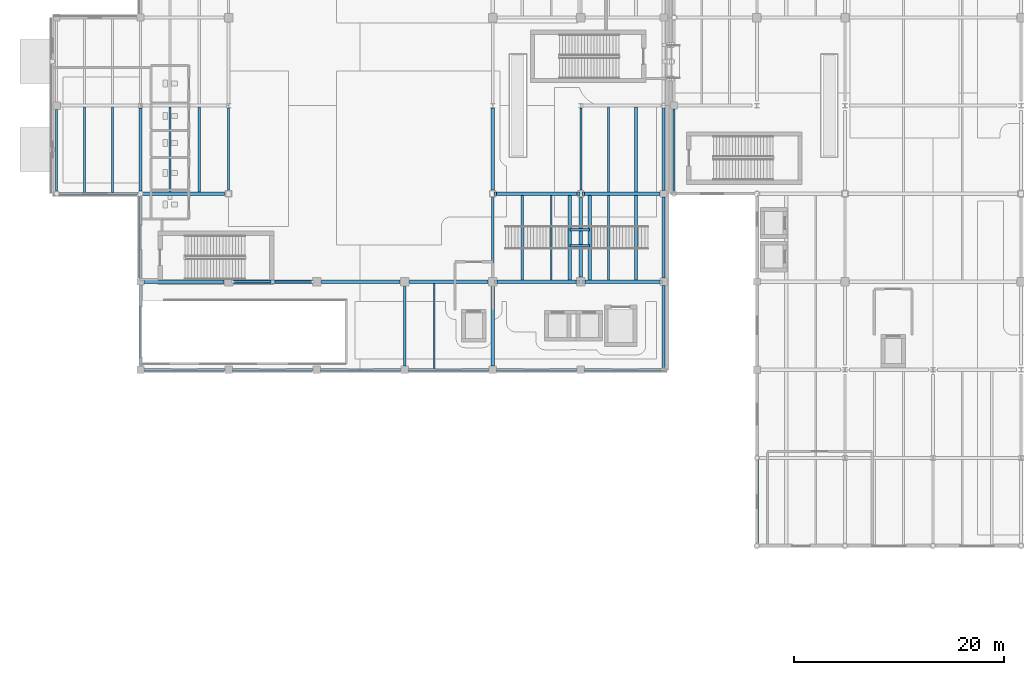
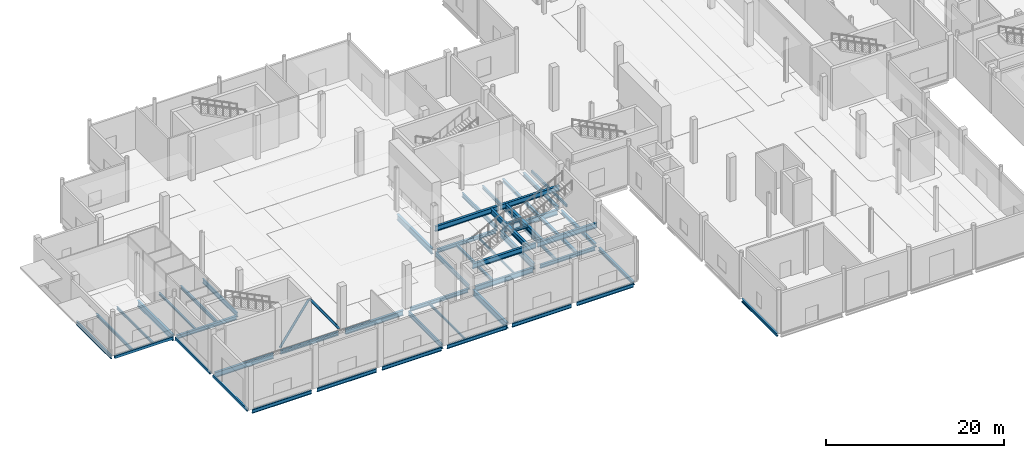
# One storey, part 16 of 85: 51 beams, 2 members.
"""IFC4 building model written with IfcOpenShell, lengths in metres."""

from ifc_helpers import new_model, si_unit, direction, frame, origin, origin_2d, place, context, subcontext, project, spatial, hollow_rectangle, hollow_circle, i_section, extrude, material, material_profile, profile_set, type_object, element, save


model = new_model("IFC4")

# Units and contexts
model_context = context("Model", 3, precision=1e-05, world=origin(), true_north=direction((0.0, 1.0)))
body_context = subcontext(model_context, "Body", "Model", "MODEL_VIEW")
ifc_project = project(units=[si_unit("LENGTHUNIT", "METRE"), si_unit("AREAUNIT", "SQUARE_METRE"), si_unit("VOLUMEUNIT", "CUBIC_METRE"), si_unit("PLANEANGLEUNIT", "RADIAN"), si_unit("MASSUNIT", "GRAM", prefix="KILO"), si_unit("THERMODYNAMICTEMPERATUREUNIT", "KELVIN")], contexts=[model_context])

# Site, building, storey
site_placement = place(None, origin())
site = spatial("IfcSite", under=ifc_project, at=site_placement, CompositionType="ELEMENT")
building_placement = place(site_placement, origin())
building = spatial("IfcBuilding", under=site, at=building_placement, Name="Lustrewick Department Store", CompositionType="ELEMENT")
storey_placement = place(building_placement, origin())
storey = spatial("IfcBuildingStorey", under=building, at=storey_placement, Name="L01", CompositionType="ELEMENT", Elevation=0.0)

# Beams
ifc_material_1 = material(Name="Structural steel Q355B", Category="steel")
ifc_material_profile_1 = material_profile(ifc_material_1, i_section(OverallWidth=0.199951171875, OverallDepth=0.449951171875, WebThickness=0.009033203125, FlangeThickness=0.013916015625, FilletRadius=0.01611328125, at=origin_2d()), Name="HN 450x200x9x14")
ifc_profile_set_1 = profile_set([ifc_material_profile_1], Name="Structural steel Q355B")
beam_type_1 = type_object("IfcBeamType", Name="B03", PredefinedType="JOIST", material=ifc_profile_set_1)
beam_1_placement = place(storey_placement, frame((53.033203125, 50.550048828125, -0.4951171875), z_axis=(0.0, 1.0, 0.0), x_axis=(-1.0, 0.0, 0.0)))
element("IfcBeam", 1, at=beam_1_placement, inside=storey, type_object=beam_type_1, Name="L01 V1 Secondary Joist B03", PredefinedType="JOIST", context=body_context, shape_type="SweptSolid", body=[
    extrude(i_section(OverallWidth=0.199951171875, OverallDepth=0.449951171875, WebThickness=0.009033203125, FlangeThickness=0.013916015625, FilletRadius=0.01611328125, at=origin_2d()), origin(), (0.0, 0.0, 1.0), 8.099853515625),
])
beam_2_placement = place(storey_placement, frame((53.033203125, 58.949951171875, -0.4951171875), z_axis=(0.0, 1.0, 0.0), x_axis=(-1.0, 0.0, 0.0)))
element("IfcBeam", 2, at=beam_2_placement, inside=storey, type_object=beam_type_1, Name="L01 V1 Secondary Joist B03", PredefinedType="JOIST", context=body_context, shape_type="SweptSolid", body=[
    extrude(i_section(OverallWidth=0.199951171875, OverallDepth=0.449951171875, WebThickness=0.009033203125, FlangeThickness=0.013916015625, FilletRadius=0.01611328125, at=origin_2d()), origin(), (0.0, 0.0, 1.0), 8.10009765625),
])
ifc_material_profile_2 = material_profile(ifc_material_1, i_section(OverallWidth=0.198974609375, OverallDepth=0.446044921875, WebThickness=0.008056640625, FlangeThickness=0.011962890625, FilletRadius=0.01611328125, at=origin_2d()), Name="HN 446x199x8x12")
ifc_profile_set_2 = profile_set([ifc_material_profile_2], Name="Structural steel Q355B")
beam_type_2 = type_object("IfcBeamType", Name="B04", PredefinedType="JOIST", material=ifc_profile_set_2)
beam_3_placement = place(storey_placement, frame((14.0, 58.949951171875, -0.492919921875), z_axis=(0.0, 1.0, 0.0), x_axis=(-1.0, 0.0, 0.0)))
element("IfcBeam", 3, at=beam_3_placement, inside=storey, type_object=beam_type_2, Name="L01 V1 Secondary Joist B04", PredefinedType="JOIST", context=body_context, shape_type="SweptSolid", body=[
    extrude(i_section(OverallWidth=0.198974609375, OverallDepth=0.446044921875, WebThickness=0.008056640625, FlangeThickness=0.011962890625, FilletRadius=0.01611328125, at=origin_2d()), origin(), (0.0, 0.0, 1.0), 8.10009765625),
])
ifc_material_profile_3 = material_profile(ifc_material_1, i_section(OverallWidth=0.199951171875, OverallDepth=0.39990234375, WebThickness=0.008056640625, FlangeThickness=0.012939453125, FilletRadius=0.013916015625, at=origin_2d()), Name="HN 400x200x8x13")
ifc_profile_set_3 = profile_set([ifc_material_profile_3], Name="Structural steel Q355B")
beam_type_3 = type_object("IfcBeamType", Name="B05", PredefinedType="JOIST", material=ifc_profile_set_3)
beam_4_placement = place(storey_placement, frame((3.066650390625, 58.89990234375, -0.469970703125), z_axis=(0.0, 1.0, 0.0), x_axis=(-1.0, 0.0, 0.0)))
element("IfcBeam", 4, at=beam_4_placement, inside=storey, type_object=beam_type_3, Name="L01 V1 Secondary Joist B05", PredefinedType="JOIST", context=body_context, shape_type="SweptSolid", body=[
    extrude(i_section(OverallWidth=0.199951171875, OverallDepth=0.39990234375, WebThickness=0.008056640625, FlangeThickness=0.012939453125, FilletRadius=0.013916015625, at=origin_2d()), origin(), (0.0, 0.0, 1.0), 8.149169921875),
])
ifc_material_profile_4 = material_profile(ifc_material_1, i_section(OverallWidth=0.300048828125, OverallDepth=0.389892578125, WebThickness=0.010009765625, FlangeThickness=0.01611328125, FilletRadius=0.01806640625, at=origin_2d()), Name="HM 390x300x10x16")
ifc_profile_set_4 = profile_set([ifc_material_profile_4], Name="Structural steel Q355B")
beam_type_4 = type_object("IfcBeamType", Name="B07", PredefinedType="JOIST", material=ifc_profile_set_4)
beam_5_placement = place(storey_placement, frame((55.666748046875, 50.550048828125, -0.465087890625), z_axis=(0.0, 1.0, 0.0), x_axis=(-1.0, 0.0, 0.0)))
element("IfcBeam", 5, at=beam_5_placement, inside=storey, type_object=beam_type_4, Name="L01 V1 Secondary Joist B07", PredefinedType="JOIST", context=body_context, shape_type="SweptSolid", body=[
    extrude(i_section(OverallWidth=0.300048828125, OverallDepth=0.389892578125, WebThickness=0.010009765625, FlangeThickness=0.01611328125, FilletRadius=0.01806640625, at=origin_2d()), origin(), (0.0, 0.0, 1.0), 8.099853515625),
])
beam_6_placement = place(storey_placement, frame((55.666748046875, 58.949951171875, -0.465087890625), z_axis=(0.0, 1.0, 0.0), x_axis=(-1.0, 0.0, 0.0)))
element("IfcBeam", 6, at=beam_6_placement, inside=storey, type_object=beam_type_4, Name="L01 V1 Secondary Joist B07", PredefinedType="JOIST", context=body_context, shape_type="SweptSolid", body=[
    extrude(i_section(OverallWidth=0.300048828125, OverallDepth=0.389892578125, WebThickness=0.010009765625, FlangeThickness=0.01611328125, FilletRadius=0.01806640625, at=origin_2d()), origin(), (0.0, 0.0, 1.0), 8.10009765625),
])
ifc_material_profile_5 = material_profile(ifc_material_1, i_section(OverallWidth=0.25, OverallDepth=0.340087890625, WebThickness=0.009033203125, FlangeThickness=0.013916015625, FilletRadius=0.01611328125, at=origin_2d()), Name="HM 340x250x9x14")
ifc_profile_set_5 = profile_set([ifc_material_profile_5], Name="Structural steel Q355B")
beam_type_5 = type_object("IfcBeamType", Name="B08", PredefinedType="JOIST", material=ifc_profile_set_5)
beam_7_placement = place(storey_placement, frame((44.800048828125, 50.550048828125, -0.43994140625), z_axis=(0.0, 1.0, 0.0), x_axis=(-1.0, 0.0, 0.0)))
element("IfcBeam", 7, at=beam_7_placement, inside=storey, type_object=beam_type_5, Name="L01 V1 Secondary Joist B08", PredefinedType="JOIST", context=body_context, shape_type="SweptSolid", body=[
    extrude(i_section(OverallWidth=0.25, OverallDepth=0.340087890625, WebThickness=0.009033203125, FlangeThickness=0.013916015625, FilletRadius=0.01611328125, at=origin_2d()), origin(), (0.0, 0.0, 1.0), 8.099853515625),
])
for number, where, z_axis, x_axis, name in (
    (8, (49.35009765625, 53.85009765625, 2.780029296875), (1.0, 0.0, 0.0), (0.0, 1.0, 0.0), "L01 Feature Stair AST01 Landing Cross Beam 1"),
    (9, (49.35009765625, 55.35009765625, 2.780029296875), (1.0, 0.0, 0.0), (0.0, 1.0, 0.0), "L01 Feature Stair AST01 Landing Cross Beam 2"),
):
    element("IfcBeam", number, at=place(storey_placement, frame(where, z_axis=z_axis, x_axis=x_axis)), inside=storey, type_object=beam_type_5, Name=name, PredefinedType="JOIST", context=body_context, shape_type="SweptSolid", body=[
        extrude(i_section(OverallWidth=0.25, OverallDepth=0.340087890625, WebThickness=0.009033203125, FlangeThickness=0.013916015625, FilletRadius=0.01611328125, at=origin_2d()), origin(), (0.0, 0.0, 1.0), 1.89990234375),
    ])
ifc_material_profile_6 = material_profile(ifc_material_1, i_section(OverallWidth=0.175048828125, OverallDepth=0.35009765625, WebThickness=0.007080078125, FlangeThickness=0.010986328125, FilletRadius=0.012939453125, at=origin_2d()), Name="HN 350x175x7x11")
ifc_profile_set_6 = profile_set([ifc_material_profile_6], Name="Structural steel Q355B")
beam_type_6 = type_object("IfcBeamType", Name="B09", PredefinedType="JOIST", material=ifc_profile_set_6)
beam_8_placement = place(storey_placement, frame((5.7333984375, 58.89990234375, -0.445068359375), z_axis=(0.0, 1.0, 0.0), x_axis=(-1.0, 0.0, 0.0)))
element("IfcBeam", 10, at=beam_8_placement, inside=storey, type_object=beam_type_6, Name="L01 V1 Secondary Joist B09", PredefinedType="JOIST", context=body_context, shape_type="SweptSolid", body=[
    extrude(i_section(OverallWidth=0.175048828125, OverallDepth=0.35009765625, WebThickness=0.007080078125, FlangeThickness=0.010986328125, FilletRadius=0.012939453125, at=origin_2d()), origin(), (0.0, 0.0, 1.0), 8.149169921875),
])
ifc_material_profile_7 = material_profile(ifc_material_1, i_section(OverallWidth=0.14892578125, OverallDepth=0.298095703125, WebThickness=0.005615234375, FlangeThickness=0.008056640625, FilletRadius=0.011962890625, at=origin_2d()), Name="HN 298x149x5.5x8")
ifc_profile_set_7 = profile_set([ifc_material_profile_7], Name="Structural steel Q355B")
beam_type_7 = type_object("IfcBeamType", Name="B12", PredefinedType="JOIST", material=ifc_profile_set_7)
beam_9_placement = place(storey_placement, frame((36.39990234375, 42.1005859375, -0.4189453125), z_axis=(0.0, 1.0, 0.0), x_axis=(-1.0, 0.0, 0.0)))
element("IfcBeam", 11, at=beam_9_placement, inside=storey, type_object=beam_type_7, Name="L01 V1 Secondary Joist B12", PredefinedType="JOIST", context=body_context, shape_type="SweptSolid", body=[
    extrude(i_section(OverallWidth=0.14892578125, OverallDepth=0.298095703125, WebThickness=0.005615234375, FlangeThickness=0.008056640625, FilletRadius=0.011962890625, at=origin_2d()), origin(), (0.0, 0.0, 1.0), 8.1494140625),
])
beam_10_placement = place(storey_placement, frame((47.60009765625, 50.550048828125, -0.4189453125), z_axis=(0.0, 1.0, 0.0), x_axis=(-1.0, 0.0, 0.0)))
element("IfcBeam", 12, at=beam_10_placement, inside=storey, type_object=beam_type_7, Name="L01 V1 Secondary Joist B12", PredefinedType="JOIST", context=body_context, shape_type="SweptSolid", body=[
    extrude(i_section(OverallWidth=0.14892578125, OverallDepth=0.298095703125, WebThickness=0.005615234375, FlangeThickness=0.008056640625, FilletRadius=0.011962890625, at=origin_2d()), origin(), (0.0, 0.0, 1.0), 8.099853515625),
])
ifc_material_profile_8 = material_profile(ifc_material_1, i_section(OverallWidth=0.199951171875, OverallDepth=0.2939453125, WebThickness=0.008056640625, FlangeThickness=0.011962890625, FilletRadius=0.013916015625, at=origin_2d()), Name="HM 294x200x8x12")
ifc_profile_set_8 = profile_set([ifc_material_profile_8], Name="Structural steel Q355B")
beam_type_8 = type_object("IfcBeamType", Name="B13", PredefinedType="JOIST", material=ifc_profile_set_8)
beam_11_placement = place(storey_placement, frame((11.199951171875, 58.949951171875, -0.4169921875), z_axis=(0.0, 1.0, 0.0), x_axis=(-1.0, 0.0, 0.0)))
element("IfcBeam", 13, at=beam_11_placement, inside=storey, type_object=beam_type_8, Name="L01 V1 Secondary Joist B13", PredefinedType="JOIST", context=body_context, shape_type="SweptSolid", body=[
    extrude(i_section(OverallWidth=0.199951171875, OverallDepth=0.2939453125, WebThickness=0.008056640625, FlangeThickness=0.011962890625, FilletRadius=0.013916015625, at=origin_2d()), origin(), (0.0, 0.0, 1.0), 8.10009765625),
])

# Members
ifc_material_2 = material(Name="Structural steel Q355C", Category="steel")
ifc_material_profile_9 = material_profile(ifc_material_2, hollow_circle(Radius=0.1494140625, WallThickness=0.011962890625, at=origin_2d()), Name="CHS 299x12")
ifc_profile_set_9 = profile_set([ifc_material_profile_9], Name="Structural steel Q355C")
member_type = type_object("IfcMemberType", Name="BR02", PredefinedType="BRACE", material=ifc_profile_set_9)
for number, where, z_axis, x_axis, name in (
    (14, (17.199951171875, 50.39990234375, 0.14990234375), (0.576424827451, 0.0, 0.817150180994), (0.0, 1.0, 0.0), "L01 V1 Chevron Brace BR02"),
    (15, (24.800048828125, 50.39990234375, 0.14990234375), (-0.576424827451, 0.0, 0.817150180994), (0.0, -1.0, 0.0), "L01 V1 Chevron Brace BR02"),
):
    element("IfcMember", number, at=place(storey_placement, frame(where, z_axis=z_axis, x_axis=x_axis)), inside=storey, type_object=member_type, Name=name, PredefinedType="BRACE", context=body_context, shape_type="SweptSolid", body=[
        extrude(hollow_circle(Radius=0.1494140625, WallThickness=0.011962890625, at=origin_2d()), origin(), (0.0, 0.0, 1.0), 6.418701171875),
    ])

# Beams
ifc_material_profile_10 = material_profile(ifc_material_1, i_section(OverallWidth=0.300048828125, OverallDepth=0.800048828125, WebThickness=0.013916015625, FlangeThickness=0.02587890625, FilletRadius=0.02197265625, at=origin_2d()), Name="HN 800x300x14x26")
ifc_profile_set_10 = profile_set([ifc_material_profile_10], Name="Structural steel Q355B")
beam_type_9 = type_object("IfcBeamType", Name="G05", PredefinedType="BEAM", material=ifc_profile_set_10)
beam_12_placement = place(storey_placement, frame((8.39990234375, 59.053955078125, -0.669921875), z_axis=(0.0, 1.0, 0.0), x_axis=(-1.0, 0.0, 0.0)))
element("IfcBeam", 16, at=beam_12_placement, inside=storey, type_object=beam_type_9, Name="L01 V1 Girder G05", PredefinedType="BEAM", context=body_context, shape_type="SweptSolid", body=[
    extrude(i_section(OverallWidth=0.300048828125, OverallDepth=0.800048828125, WebThickness=0.013916015625, FlangeThickness=0.02587890625, FilletRadius=0.02197265625, at=origin_2d()), origin(), (0.0, 0.0, 1.0), 7.93212890625),
])
beam_13_placement = place(storey_placement, frame((42.0, 42.35009765625, -0.669921875), z_axis=(0.0, 1.0, 0.0), x_axis=(-1.0, 0.0, 0.0)))
element("IfcBeam", 17, at=beam_13_placement, inside=storey, type_object=beam_type_9, Name="L01 V1 Girder G05", PredefinedType="BEAM", context=body_context, shape_type="SweptSolid", body=[
    extrude(i_section(OverallWidth=0.300048828125, OverallDepth=0.800048828125, WebThickness=0.013916015625, FlangeThickness=0.02587890625, FilletRadius=0.02197265625, at=origin_2d()), origin(), (0.0, 0.0, 1.0), 7.599853515625),
])
beam_14_placement = place(storey_placement, frame((42.0, 59.175048828125, -0.669921875), z_axis=(0.0, 1.0, 0.0), x_axis=(-1.0, 0.0, 0.0)))
element("IfcBeam", 18, at=beam_14_placement, inside=storey, type_object=beam_type_9, Name="L01 V1 Girder G05", PredefinedType="BEAM", context=body_context, shape_type="SweptSolid", body=[
    extrude(i_section(OverallWidth=0.300048828125, OverallDepth=0.800048828125, WebThickness=0.013916015625, FlangeThickness=0.02587890625, FilletRadius=0.02197265625, at=origin_2d()), origin(), (0.0, 0.0, 1.0), 7.81103515625),
])
beam_15_placement = place(storey_placement, frame((50.39990234375, 50.85009765625, -0.669921875), z_axis=(0.0, 1.0, 0.0), x_axis=(-1.0, 0.0, 0.0)))
element("IfcBeam", 19, at=beam_15_placement, inside=storey, type_object=beam_type_9, Name="L01 V1 Girder G05", PredefinedType="BEAM", context=body_context, shape_type="SweptSolid", body=[
    extrude(i_section(OverallWidth=0.300048828125, OverallDepth=0.800048828125, WebThickness=0.013916015625, FlangeThickness=0.02587890625, FilletRadius=0.02197265625, at=origin_2d()), origin(), (0.0, 0.0, 1.0), 7.574951171875),
])
ifc_material_profile_11 = material_profile(ifc_material_1, i_section(OverallWidth=0.300048828125, OverallDepth=0.699951171875, WebThickness=0.012939453125, FlangeThickness=0.02392578125, FilletRadius=0.02001953125, at=origin_2d()), Name="HN 700x300x13x24")
ifc_profile_set_11 = profile_set([ifc_material_profile_11], Name="Structural steel Q355B")
beam_type_10 = type_object("IfcBeamType", Name="G08", PredefinedType="BEAM", material=ifc_profile_set_11)
beam_16_placement = place(storey_placement, frame((42.449951171875, 50.39990234375, -0.6201171875), z_axis=(1.0, 0.0, 0.0), x_axis=(0.0, 1.0, 0.0)))
element("IfcBeam", 20, at=beam_16_placement, inside=storey, type_object=beam_type_10, Name="L01 V1 Girder G08", PredefinedType="BEAM", context=body_context, shape_type="SweptSolid", body=[
    extrude(i_section(OverallWidth=0.300048828125, OverallDepth=0.699951171875, WebThickness=0.012939453125, FlangeThickness=0.02392578125, FilletRadius=0.02001953125, at=origin_2d()), origin(), (0.0, 0.0, 1.0), 7.5),
])
beam_17_placement = place(storey_placement, frame((50.77490234375, 58.800048828125, -0.6201171875), z_axis=(1.0, 0.0, 0.0), x_axis=(0.0, 1.0, 0.0)))
element("IfcBeam", 21, at=beam_17_placement, inside=storey, type_object=beam_type_10, Name="L01 V1 Girder G08", PredefinedType="BEAM", context=body_context, shape_type="SweptSolid", body=[
    extrude(i_section(OverallWidth=0.300048828125, OverallDepth=0.699951171875, WebThickness=0.012939453125, FlangeThickness=0.02392578125, FilletRadius=0.02001953125, at=origin_2d()), origin(), (0.0, 0.0, 1.0), 7.2001953125),
])
for number, where, z_axis, x_axis, name in (
    (22, (42.10009765625, 50.39990234375, 2.60009765625), (1.0, 0.0, 0.0), (0.0, 1.0, 0.0), "L01 Feature Stair AST01 Stringer Girder EW1.1"),
    (23, (42.10009765625, 58.800048828125, 2.60009765625), (1.0, 0.0, 0.0), (0.0, 1.0, 0.0), "L01 Feature Stair AST01 Stringer Girder EW1.2"),
):
    element("IfcBeam", number, at=place(storey_placement, frame(where, z_axis=z_axis, x_axis=x_axis)), inside=storey, type_object=beam_type_10, Name=name, PredefinedType="BEAM", context=body_context, shape_type="SweptSolid", body=[
        extrude(i_section(OverallWidth=0.300048828125, OverallDepth=0.699951171875, WebThickness=0.012939453125, FlangeThickness=0.02392578125, FilletRadius=0.02001953125, at=origin_2d()), origin(), (0.0, 0.0, 1.0), 8.199951171875),
    ])
for number, where, z_axis, x_axis, name in (
    (24, (50.5, 50.39990234375, 2.60009765625), (1.0, 0.0, 0.0), (0.0, 1.0, 0.0), "L01 Feature Stair AST01 Stringer Girder EW2.1"),
    (25, (50.5, 58.800048828125, 2.60009765625), (1.0, 0.0, 0.0), (0.0, 1.0, 0.0), "L01 Feature Stair AST01 Stringer Girder EW2.2"),
):
    element("IfcBeam", number, at=place(storey_placement, frame(where, z_axis=z_axis, x_axis=x_axis)), inside=storey, type_object=beam_type_10, Name=name, PredefinedType="BEAM", context=body_context, shape_type="SweptSolid", body=[
        extrude(i_section(OverallWidth=0.300048828125, OverallDepth=0.699951171875, WebThickness=0.012939453125, FlangeThickness=0.02392578125, FilletRadius=0.02001953125, at=origin_2d()), origin(), (0.0, 0.0, 1.0), 7.699951171875),
    ])
for number, where, z_axis, x_axis, name in (
    (26, (49.35009765625, 50.5, 2.60009765625), (0.0, 1.0, 0.0), (-1.0, 0.0, 0.0), "L01 Feature Stair AST01 Landing Trimmer NS1"),
    (27, (51.25, 50.5, 2.60009765625), (0.0, 1.0, 0.0), (-1.0, 0.0, 0.0), "L01 Feature Stair AST01 Landing Trimmer NS2"),
):
    element("IfcBeam", number, at=place(storey_placement, frame(where, z_axis=z_axis, x_axis=x_axis)), inside=storey, type_object=beam_type_10, Name=name, PredefinedType="BEAM", context=body_context, shape_type="SweptSolid", body=[
        extrude(i_section(OverallWidth=0.300048828125, OverallDepth=0.699951171875, WebThickness=0.012939453125, FlangeThickness=0.02392578125, FilletRadius=0.02001953125, at=origin_2d()), origin(), (0.0, 0.0, 1.0), 8.199951171875),
    ])
ifc_material_profile_12 = material_profile(ifc_material_1, i_section(OverallWidth=0.300048828125, OverallDepth=0.69189453125, WebThickness=0.012939453125, FlangeThickness=0.02001953125, FilletRadius=0.02001953125, at=origin_2d()), Name="HN 692x300x13x20")
ifc_profile_set_12 = profile_set([ifc_material_profile_12], Name="Structural steel Q355B")
beam_type_11 = type_object("IfcBeamType", Name="G09", PredefinedType="BEAM", material=ifc_profile_set_12)
beam_18_placement = place(storey_placement, frame((8.72509765625, 50.39990234375, -0.615966796875), z_axis=(1.0, 0.0, 0.0), x_axis=(0.0, 1.0, 0.0)))
element("IfcBeam", 28, at=beam_18_placement, inside=storey, type_object=beam_type_11, Name="L01 V1 Girder G09", PredefinedType="BEAM", context=body_context, shape_type="SweptSolid", body=[
    extrude(i_section(OverallWidth=0.300048828125, OverallDepth=0.69189453125, WebThickness=0.012939453125, FlangeThickness=0.02001953125, FilletRadius=0.02001953125, at=origin_2d()), origin(), (0.0, 0.0, 1.0), 7.625),
])
beam_19_placement = place(storey_placement, frame((25.64990234375, 50.39990234375, -0.615966796875), z_axis=(1.0, 0.0, 0.0), x_axis=(0.0, 1.0, 0.0)))
element("IfcBeam", 29, at=beam_19_placement, inside=storey, type_object=beam_type_11, Name="L01 V1 Girder G09", PredefinedType="BEAM", context=body_context, shape_type="SweptSolid", body=[
    extrude(i_section(OverallWidth=0.300048828125, OverallDepth=0.69189453125, WebThickness=0.012939453125, FlangeThickness=0.02001953125, FilletRadius=0.02001953125, at=origin_2d()), origin(), (0.0, 0.0, 1.0), 7.5),
])
ifc_material_profile_13 = material_profile(ifc_material_1, i_section(OverallWidth=0.200927734375, OverallDepth=0.60595703125, WebThickness=0.011962890625, FlangeThickness=0.02001953125, FilletRadius=0.01806640625, at=origin_2d()), Name="HN 606x201x12x20")
ifc_profile_set_13 = profile_set([ifc_material_profile_13], Name="Structural steel Q355B")
beam_type_12 = type_object("IfcBeamType", Name="G13", PredefinedType="BEAM", material=ifc_profile_set_13)
beam_20_placement = place(storey_placement, frame((42.0, 50.85009765625, -0.572998046875), z_axis=(0.0, 1.0, 0.0), x_axis=(-1.0, 0.0, 0.0)))
element("IfcBeam", 30, at=beam_20_placement, inside=storey, type_object=beam_type_12, Name="L01 V1 Girder G13", PredefinedType="BEAM", context=body_context, shape_type="SweptSolid", body=[
    extrude(i_section(OverallWidth=0.200927734375, OverallDepth=0.60595703125, WebThickness=0.011962890625, FlangeThickness=0.02001953125, FilletRadius=0.01806640625, at=origin_2d()), origin(), (0.0, 0.0, 1.0), 7.574951171875),
])
beam_21_placement = place(storey_placement, frame((50.39990234375, 59.175048828125, -0.572998046875), z_axis=(0.0, 1.0, 0.0), x_axis=(-1.0, 0.0, 0.0)))
element("IfcBeam", 31, at=beam_21_placement, inside=storey, type_object=beam_type_12, Name="L01 V1 Girder G13", PredefinedType="BEAM", context=body_context, shape_type="SweptSolid", body=[
    extrude(i_section(OverallWidth=0.200927734375, OverallDepth=0.60595703125, WebThickness=0.011962890625, FlangeThickness=0.02001953125, FilletRadius=0.01806640625, at=origin_2d()), origin(), (0.0, 0.0, 1.0), 7.81103515625),
])
ifc_material_profile_14 = material_profile(ifc_material_1, i_section(OverallWidth=0.199951171875, OverallDepth=0.60009765625, WebThickness=0.010986328125, FlangeThickness=0.01708984375, FilletRadius=0.01806640625, at=origin_2d()), Name="HN 600x200x11x17")
ifc_profile_set_14 = profile_set([ifc_material_profile_14], Name="Structural steel Q355B")
beam_type_13 = type_object("IfcBeamType", Name="G14", PredefinedType="BEAM", material=ifc_profile_set_14)
beam_22_placement = place(storey_placement, frame((16.800048828125, 59.175048828125, -0.570068359375), z_axis=(0.0, 1.0, 0.0), x_axis=(-1.0, 0.0, 0.0)))
element("IfcBeam", 32, at=beam_22_placement, inside=storey, type_object=beam_type_13, Name="L01 V1 Girder G14", PredefinedType="BEAM", context=body_context, shape_type="SweptSolid", body=[
    extrude(i_section(OverallWidth=0.199951171875, OverallDepth=0.60009765625, WebThickness=0.010986328125, FlangeThickness=0.01708984375, FilletRadius=0.01806640625, at=origin_2d()), origin(), (0.0, 0.0, 1.0), 7.81103515625),
])
beam_23_placement = place(storey_placement, frame((33.60009765625, 42.35009765625, -0.570068359375), z_axis=(0.0, 1.0, 0.0), x_axis=(-1.0, 0.0, 0.0)))
element("IfcBeam", 33, at=beam_23_placement, inside=storey, type_object=beam_type_13, Name="L01 V1 Girder G14", PredefinedType="BEAM", context=body_context, shape_type="SweptSolid", body=[
    extrude(i_section(OverallWidth=0.199951171875, OverallDepth=0.60009765625, WebThickness=0.010986328125, FlangeThickness=0.01708984375, FilletRadius=0.01806640625, at=origin_2d()), origin(), (0.0, 0.0, 1.0), 7.599853515625),
])
ifc_material_profile_15 = material_profile(ifc_material_1, i_section(OverallWidth=0.300048828125, OverallDepth=0.48193359375, WebThickness=0.010986328125, FlangeThickness=0.014892578125, FilletRadius=0.02197265625, at=origin_2d()), Name="HM 482x300x11x15")
ifc_profile_set_15 = profile_set([ifc_material_profile_15], Name="Structural steel Q355B")
beam_type_14 = type_object("IfcBeamType", Name="G20", PredefinedType="BEAM", material=ifc_profile_set_15)
for number, where, z_axis, x_axis, name in (
    (34, (17.25, 50.39990234375, -0.510986328125), (1.0, 0.0, 0.0), (0.0, 1.0, 0.0), "L01 V1 Girder G20"),
    (35, (34.050048828125, 50.39990234375, -0.510986328125), (1.0, 0.0, 0.0), (0.0, 1.0, 0.0), "L01 V1 Girder G20"),
):
    element("IfcBeam", number, at=place(storey_placement, frame(where, z_axis=z_axis, x_axis=x_axis)), inside=storey, type_object=beam_type_14, Name=name, PredefinedType="BEAM", context=body_context, shape_type="SweptSolid", body=[
        extrude(i_section(OverallWidth=0.300048828125, OverallDepth=0.48193359375, WebThickness=0.010986328125, FlangeThickness=0.014892578125, FilletRadius=0.02197265625, at=origin_2d()), origin(), (0.0, 0.0, 1.0), 7.5),
    ])
beam_24_placement = place(storey_placement, frame((50.85009765625, 50.39990234375, -0.510986328125), z_axis=(1.0, 0.0, 0.0), x_axis=(0.0, 1.0, 0.0)))
element("IfcBeam", 36, at=beam_24_placement, inside=storey, type_object=beam_type_14, Name="L01 V1 Girder G20", PredefinedType="BEAM", context=body_context, shape_type="SweptSolid", body=[
    extrude(i_section(OverallWidth=0.300048828125, OverallDepth=0.48193359375, WebThickness=0.010986328125, FlangeThickness=0.014892578125, FilletRadius=0.02197265625, at=origin_2d()), origin(), (0.0, 0.0, 1.0), 7.099853515625),
])
beam_25_placement = place(storey_placement, frame((8.654052734375, 58.800048828125, -0.510986328125), z_axis=(1.0, 0.0, 0.0), x_axis=(0.0, 1.0, 0.0)))
element("IfcBeam", 37, at=beam_25_placement, inside=storey, type_object=beam_type_14, Name="L01 V1 Girder G20", PredefinedType="BEAM", context=body_context, shape_type="SweptSolid", body=[
    extrude(i_section(OverallWidth=0.300048828125, OverallDepth=0.48193359375, WebThickness=0.010986328125, FlangeThickness=0.014892578125, FilletRadius=0.02197265625, at=origin_2d()), origin(), (0.0, 0.0, 1.0), 7.77099609375),
])
beam_26_placement = place(storey_placement, frame((42.375, 58.800048828125, -0.510986328125), z_axis=(1.0, 0.0, 0.0), x_axis=(0.0, 1.0, 0.0)))
element("IfcBeam", 38, at=beam_26_placement, inside=storey, type_object=beam_type_14, Name="L01 V1 Girder G20", PredefinedType="BEAM", context=body_context, shape_type="SweptSolid", body=[
    extrude(i_section(OverallWidth=0.300048828125, OverallDepth=0.48193359375, WebThickness=0.010986328125, FlangeThickness=0.014892578125, FilletRadius=0.02197265625, at=origin_2d()), origin(), (0.0, 0.0, 1.0), 7.64990234375),
])
ifc_material_profile_16 = material_profile(ifc_material_1, i_section(OverallWidth=0.200927734375, OverallDepth=0.506103515625, WebThickness=0.010986328125, FlangeThickness=0.01904296875, FilletRadius=0.01611328125, at=origin_2d()), Name="HN 506x201x11x19")
ifc_profile_set_16 = profile_set([ifc_material_profile_16], Name="Structural steel Q355B")
beam_type_15 = type_object("IfcBeamType", Name="SP01", PredefinedType="SPANDREL", material=ifc_profile_set_16)
beam_27_placement = place(storey_placement, frame((8.75, 42.0, -0.52294921875), z_axis=(1.0, 0.0, 0.0), x_axis=(0.0, 1.0, 0.0)))
element("IfcBeam", 39, at=beam_27_placement, inside=storey, type_object=beam_type_15, Name="L01 V1 Girder SP01", PredefinedType="SPANDREL", context=body_context, shape_type="SweptSolid", body=[
    extrude(i_section(OverallWidth=0.200927734375, OverallDepth=0.506103515625, WebThickness=0.010986328125, FlangeThickness=0.01904296875, FilletRadius=0.01611328125, at=origin_2d()), origin(), (0.0, 0.0, 1.0), 7.699951171875),
])
beam_28_placement = place(storey_placement, frame((17.14990234375, 42.0, -0.52294921875), z_axis=(1.0, 0.0, 0.0), x_axis=(0.0, 1.0, 0.0)))
element("IfcBeam", 40, at=beam_28_placement, inside=storey, type_object=beam_type_15, Name="L01 V1 Girder SP01", PredefinedType="SPANDREL", context=body_context, shape_type="SweptSolid", body=[
    extrude(i_section(OverallWidth=0.200927734375, OverallDepth=0.506103515625, WebThickness=0.010986328125, FlangeThickness=0.01904296875, FilletRadius=0.01611328125, at=origin_2d()), origin(), (0.0, 0.0, 1.0), 7.7001953125),
])
for number, where, z_axis, x_axis, name in (
    (41, (25.550048828125, 42.0, -0.52294921875), (1.0, 0.0, 0.0), (0.0, 1.0, 0.0), "L01 V1 Girder SP01"),
    (42, (33.949951171875, 42.0, -0.52294921875), (1.0, 0.0, 0.0), (0.0, 1.0, 0.0), "L01 V1 Girder SP01"),
    (43, (42.35009765625, 42.0, -0.52294921875), (1.0, 0.0, 0.0), (0.0, 1.0, 0.0), "L01 V1 Girder SP01"),
):
    element("IfcBeam", number, at=place(storey_placement, frame(where, z_axis=z_axis, x_axis=x_axis)), inside=storey, type_object=beam_type_15, Name=name, PredefinedType="SPANDREL", context=body_context, shape_type="SweptSolid", body=[
        extrude(i_section(OverallWidth=0.200927734375, OverallDepth=0.506103515625, WebThickness=0.010986328125, FlangeThickness=0.01904296875, FilletRadius=0.01611328125, at=origin_2d()), origin(), (0.0, 0.0, 1.0), 7.699951171875),
    ])
beam_29_placement = place(storey_placement, frame((50.75, 42.0, -0.52294921875), z_axis=(1.0, 0.0, 0.0), x_axis=(0.0, 1.0, 0.0)))
element("IfcBeam", 44, at=beam_29_placement, inside=storey, type_object=beam_type_15, Name="L01 V1 Girder SP01", PredefinedType="SPANDREL", context=body_context, shape_type="SweptSolid", body=[
    extrude(i_section(OverallWidth=0.200927734375, OverallDepth=0.506103515625, WebThickness=0.010986328125, FlangeThickness=0.01904296875, FilletRadius=0.01611328125, at=origin_2d()), origin(), (0.0, 0.0, 1.0), 7.321533203125),
])
beam_30_placement = place(storey_placement, frame((0.39990234375, 59.053955078125, -0.52294921875), z_axis=(0.0, 1.0, 0.0), x_axis=(-1.0, 0.0, 0.0)))
element("IfcBeam", 45, at=beam_30_placement, inside=storey, type_object=beam_type_15, Name="L01 V1 Girder SP01", PredefinedType="SPANDREL", context=body_context, shape_type="SweptSolid", body=[
    extrude(i_section(OverallWidth=0.200927734375, OverallDepth=0.506103515625, WebThickness=0.010986328125, FlangeThickness=0.01904296875, FilletRadius=0.01611328125, at=origin_2d()), origin(), (0.0, 0.0, 1.0), 7.796142578125),
])
ifc_material_profile_17 = material_profile(ifc_material_1, i_section(OverallWidth=0.300048828125, OverallDepth=0.43994140625, WebThickness=0.010986328125, FlangeThickness=0.01806640625, FilletRadius=0.02001953125, at=origin_2d()), Name="HM 440x300x11x18")
ifc_profile_set_17 = profile_set([ifc_material_profile_17], Name="Structural steel Q355B")
beam_type_16 = type_object("IfcBeamType", Name="SP02", PredefinedType="SPANDREL", material=ifc_profile_set_17)
beam_31_placement = place(storey_placement, frame((58.300048828125, 42.228515625, -0.489990234375), z_axis=(0.0, 1.0, 0.0), x_axis=(-1.0, 0.0, 0.0)))
element("IfcBeam", 46, at=beam_31_placement, inside=storey, type_object=beam_type_16, Name="L01 V1 Girder SP02", PredefinedType="SPANDREL", context=body_context, shape_type="SweptSolid", body=[
    extrude(i_section(OverallWidth=0.300048828125, OverallDepth=0.43994140625, WebThickness=0.010986328125, FlangeThickness=0.01806640625, FilletRadius=0.02001953125, at=origin_2d()), origin(), (0.0, 0.0, 1.0), 7.821533203125),
])
beam_32_placement = place(storey_placement, frame((58.300048828125, 50.75, -0.489990234375), z_axis=(0.0, 1.0, 0.0), x_axis=(-1.0, 0.0, 0.0)))
element("IfcBeam", 47, at=beam_32_placement, inside=storey, type_object=beam_type_16, Name="L01 V1 Girder SP02", PredefinedType="SPANDREL", context=body_context, shape_type="SweptSolid", body=[
    extrude(i_section(OverallWidth=0.300048828125, OverallDepth=0.43994140625, WebThickness=0.010986328125, FlangeThickness=0.01806640625, FilletRadius=0.02001953125, at=origin_2d()), origin(), (0.0, 0.0, 1.0), 7.72509765625),
])
beam_33_placement = place(storey_placement, frame((58.300048828125, 59.125, -0.489990234375), z_axis=(0.0, 1.0, 0.0), x_axis=(-1.0, 0.0, 0.0)))
element("IfcBeam", 48, at=beam_33_placement, inside=storey, type_object=beam_type_16, Name="L01 V1 Girder SP02", PredefinedType="SPANDREL", context=body_context, shape_type="SweptSolid", body=[
    extrude(i_section(OverallWidth=0.300048828125, OverallDepth=0.43994140625, WebThickness=0.010986328125, FlangeThickness=0.01806640625, FilletRadius=0.02001953125, at=origin_2d()), origin(), (0.0, 0.0, 1.0), 7.846435546875),
])
beam_34_placement = place(storey_placement, frame((67.199951171875, 25.4541015625, -0.489990234375), z_axis=(0.0, 1.0, 0.0), x_axis=(-1.0, 0.0, 0.0)))
element("IfcBeam", 49, at=beam_34_placement, inside=storey, type_object=beam_type_16, Name="L01 V2 Girder SP02", PredefinedType="SPANDREL", context=body_context, shape_type="SweptSolid", body=[
    extrude(i_section(OverallWidth=0.300048828125, OverallDepth=0.43994140625, WebThickness=0.010986328125, FlangeThickness=0.01806640625, FilletRadius=0.02001953125, at=origin_2d()), origin(), (0.0, 0.0, 1.0), 7.91748046875),
])
ifc_material_profile_18 = material_profile(ifc_material_2, hollow_rectangle(XDim=0.199951171875, YDim=0.35009765625, WallThickness=0.011962890625, at=origin_2d()), Name="RHS 350x200x12")
ifc_profile_set_18 = profile_set([ifc_material_profile_18], Name="Structural steel Q355C")
beam_type_17 = type_object("IfcBeamType", Name="SP03", PredefinedType="SPANDREL", material=ifc_profile_set_18)
beam_35_placement = place(storey_placement, frame((0.654052734375, 58.800048828125, -0.445068359375), z_axis=(1.0, 0.0, 0.0), x_axis=(0.0, 1.0, 0.0)))
element("IfcBeam", 50, at=beam_35_placement, inside=storey, type_object=beam_type_17, Name="L01 V1 Girder SP03", PredefinedType="SPANDREL", context=body_context, shape_type="SweptSolid", body=[
    extrude(hollow_rectangle(XDim=0.199951171875, YDim=0.35009765625, WallThickness=0.011962890625, at=origin_2d()), origin(), (0.0, 0.0, 1.0), 7.491943359375),
])
beam_36_placement = place(storey_placement, frame((8.39990234375, 42.35009765625, -0.445068359375), z_axis=(0.0, 1.0, 0.0), x_axis=(-1.0, 0.0, 0.0)))
element("IfcBeam", 51, at=beam_36_placement, inside=storey, type_object=beam_type_17, Name="L01 V1 Girder SP03", PredefinedType="SPANDREL", context=body_context, shape_type="SweptSolid", body=[
    extrude(hollow_rectangle(XDim=0.199951171875, YDim=0.35009765625, WallThickness=0.011962890625, at=origin_2d()), origin(), (0.0, 0.0, 1.0), 7.724853515625),
])
beam_37_placement = place(storey_placement, frame((8.39990234375, 50.72509765625, -0.445068359375), z_axis=(0.0, 1.0, 0.0), x_axis=(-1.0, 0.0, 0.0)))
element("IfcBeam", 52, at=beam_37_placement, inside=storey, type_object=beam_type_17, Name="L01 V1 Girder SP03", PredefinedType="SPANDREL", context=body_context, shape_type="SweptSolid", body=[
    extrude(hollow_rectangle(XDim=0.199951171875, YDim=0.35009765625, WallThickness=0.011962890625, at=origin_2d()), origin(), (0.0, 0.0, 1.0), 7.82080078125),
])
beam_38_placement = place(storey_placement, frame((59.300048828125, 59.028564453125, -0.445068359375), z_axis=(0.0, 1.0, 0.0), x_axis=(-1.0, 0.0, 0.0)))
element("IfcBeam", 53, at=beam_38_placement, inside=storey, type_object=beam_type_17, Name="L01 V2 Girder SP03", PredefinedType="SPANDREL", context=body_context, shape_type="SweptSolid", body=[
    extrude(hollow_rectangle(XDim=0.199951171875, YDim=0.35009765625, WallThickness=0.011962890625, at=origin_2d()), origin(), (0.0, 0.0, 1.0), 7.846435546875),
])

save(model, "model.ifc")
